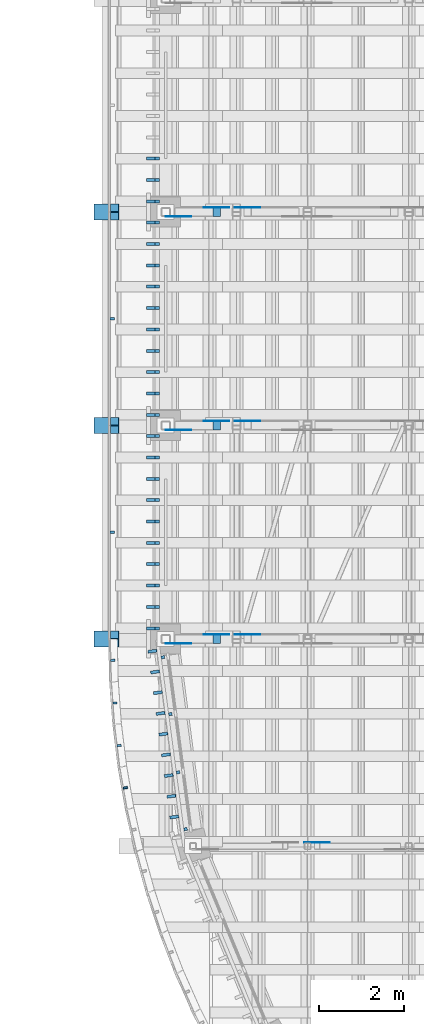
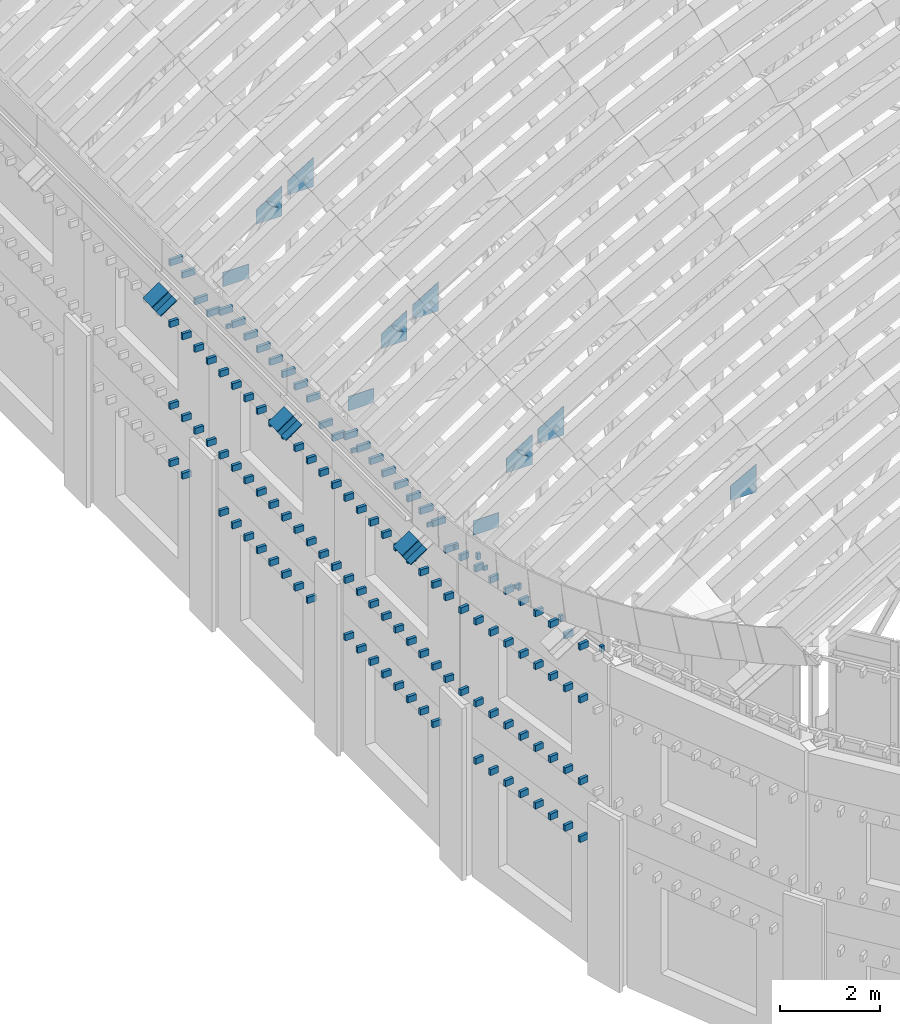
# One storey, part 69 of 105: 148 discrete accessories.
"""IFC4 building model written with IfcOpenShell, lengths in metres."""

from ifc_helpers import new_model, si_unit, direction, frame, origin, origin_2d, place, context, subcontext, project, spatial, polyline, rectangle, i_section, outline, extrude, material, material_profile, profile_set, type_object, element, save


model = new_model("IFC4")

# Units and contexts
model_context = context("Model", 3, precision=1e-05, world=origin(), true_north=direction((0.0, 1.0)))
body_context = subcontext(model_context, "Body", "Model", "MODEL_VIEW")
ifc_project = project(units=[si_unit("LENGTHUNIT", "METRE"), si_unit("AREAUNIT", "SQUARE_METRE"), si_unit("VOLUMEUNIT", "CUBIC_METRE"), si_unit("PLANEANGLEUNIT", "RADIAN"), si_unit("MASSUNIT", "GRAM", prefix="KILO")], contexts=[model_context])

# Site, building, storey
site_placement = place(None, origin())
site = spatial("IfcSite", under=ifc_project, at=site_placement, CompositionType="ELEMENT")
building_placement = place(site_placement, origin())
building = spatial("IfcBuilding", under=site, at=building_placement, Name="Wasatch Bagh Community Centre", CompositionType="ELEMENT")
storey_placement = place(building_placement, frame((0.0, 0.0, 16.800048828125)))
storey = spatial("IfcBuildingStorey", under=building, at=storey_placement, Name="L04", CompositionType="ELEMENT", Elevation=16.800048828125)

# Discrete accessories
ifc_material_1 = material(Name="ASTM A36 steel", Category="steel")
discrete_accessory_type_1 = type_object("IfcDiscreteAccessoryType", Name="MH fascia bracket", PredefinedType="BRACKET", material=ifc_material_1)
for number, where, z_axis, x_axis, name in (
    (1, (16.306396484375, 31.513427734375, 9.16064453125), (0.0, 0.0, 1.0), (-0.985277642389, -0.17096188876, 0.0), "Fascia bracket 74"),
    (2, (16.159423828125, 32.503662109375, 9.061767578125), (0.0, 0.0, 1.0), (-0.992479534599, -0.122410675199, 0.0), "Fascia bracket 75"),
    (3, (16.061279296875, 33.499755859375, 8.995849609375), (0.0, 0.0, 1.0), (-0.997290456679, -0.0735645636, 0.0), "Fascia bracket 76"),
    (4, (16.01220703125, 34.49951171875, 8.962646484375), (0.0, 0.0, 1.0), (-0.999698818696, -0.024541228523, 0.0), "Fascia bracket 77"),
    (5, (16.0, 37.5, 8.954345703125), (0.0, 0.0, 1.0), (-1.0, 0.0, 0.0), "Fascia bracket 78"),
    (6, (16.0, 42.5, 8.954345703125), (0.0, 0.0, 1.0), (-1.0, 0.0, 0.0), "Fascia bracket 79"),
):
    element("IfcDiscreteAccessory", number, at=place(storey_placement, frame(where, z_axis=z_axis, x_axis=x_axis)), inside=storey, type_object=discrete_accessory_type_1, Name=name, PredefinedType="BRACKET", context=body_context, shape_type="SweptSolid", body=[
        extrude(rectangle(XDim=0.10009765625, YDim=0.050048828125, at=origin_2d()), origin(), (0.0, 0.0, 1.0), 0.10009765625),
    ])
discrete_accessory_type_2 = type_object("IfcDiscreteAccessoryType", Name="MH fin bracket", PredefinedType="BRACKET", material=ifc_material_1)
for number, where, z_axis, x_axis, name in (
    (7, (16.93505859375, 34.711669921875, 4.425048828125), (0.0, 0.0, 1.0), (0.13052619222, -0.991444861374, 0.0), "Fin bracket 1.1.5"),
    (8, (16.93505859375, 34.711669921875, 6.425048828125), (0.0, 0.0, 1.0), (0.13052619222, -0.991444861374, 0.0), "Fin bracket 1.1.6"),
    (9, (16.998779296875, 34.226318359375, 3.02490234375), (0.0, 0.0, 1.0), (0.13052619222, -0.991444861374, 0.0), "Fin bracket 1.2.4"),
    (10, (16.998779296875, 34.226318359375, 4.425048828125), (0.0, 0.0, 1.0), (0.13052619222, -0.991444861374, 0.0), "Fin bracket 1.2.5"),
    (11, (16.998779296875, 34.226318359375, 6.425048828125), (0.0, 0.0, 1.0), (0.13052619222, -0.991444861374, 0.0), "Fin bracket 1.2.6"),
    (12, (17.062744140625, 33.7412109375, 3.02490234375), (0.0, 0.0, 1.0), (0.13052619222, -0.991444861374, 0.0), "Fin bracket 1.3.4"),
    (13, (17.062744140625, 33.7412109375, 4.425048828125), (0.0, 0.0, 1.0), (0.13052619222, -0.991444861374, 0.0), "Fin bracket 1.3.5"),
    (14, (17.062744140625, 33.7412109375, 6.425048828125), (0.0, 0.0, 1.0), (0.13052619222, -0.991444861374, 0.0), "Fin bracket 1.3.6"),
    (15, (17.126708984375, 33.255859375, 3.02490234375), (0.0, 0.0, 1.0), (0.13052619222, -0.991444861374, 0.0), "Fin bracket 1.4.4"),
    (16, (17.126708984375, 33.255859375, 4.425048828125), (0.0, 0.0, 1.0), (0.13052619222, -0.991444861374, 0.0), "Fin bracket 1.4.5"),
    (17, (17.126708984375, 33.255859375, 6.425048828125), (0.0, 0.0, 1.0), (0.13052619222, -0.991444861374, 0.0), "Fin bracket 1.4.6"),
    (18, (17.1904296875, 32.7705078125, 3.02490234375), (0.0, 0.0, 1.0), (0.13052619222, -0.991444861374, 0.0), "Fin bracket 1.5.4"),
    (19, (17.1904296875, 32.7705078125, 4.425048828125), (0.0, 0.0, 1.0), (0.13052619222, -0.991444861374, 0.0), "Fin bracket 1.5.5"),
    (20, (17.1904296875, 32.7705078125, 6.425048828125), (0.0, 0.0, 1.0), (0.13052619222, -0.991444861374, 0.0), "Fin bracket 1.5.6"),
    (21, (17.25439453125, 32.28515625, 3.02490234375), (0.0, 0.0, 1.0), (0.13052619222, -0.991444861374, 0.0), "Fin bracket 1.6.4"),
    (22, (17.25439453125, 32.28515625, 4.425048828125), (0.0, 0.0, 1.0), (0.13052619222, -0.991444861374, 0.0), "Fin bracket 1.6.5"),
    (23, (17.25439453125, 32.28515625, 6.425048828125), (0.0, 0.0, 1.0), (0.13052619222, -0.991444861374, 0.0), "Fin bracket 1.6.6"),
    (24, (17.318359375, 31.800048828125, 3.02490234375), (0.0, 0.0, 1.0), (0.13052619222, -0.991444861374, 0.0), "Fin bracket 1.7.4"),
    (25, (17.318359375, 31.800048828125, 4.425048828125), (0.0, 0.0, 1.0), (0.13052619222, -0.991444861374, 0.0), "Fin bracket 1.7.5"),
    (26, (17.318359375, 31.800048828125, 6.425048828125), (0.0, 0.0, 1.0), (0.13052619222, -0.991444861374, 0.0), "Fin bracket 1.7.6"),
    (27, (17.382080078125, 31.314697265625, 3.02490234375), (0.0, 0.0, 1.0), (0.13052619222, -0.991444861374, 0.0), "Fin bracket 1.8.4"),
    (28, (17.382080078125, 31.314697265625, 4.425048828125), (0.0, 0.0, 1.0), (0.13052619222, -0.991444861374, 0.0), "Fin bracket 1.8.5"),
    (29, (17.382080078125, 31.314697265625, 6.425048828125), (0.0, 0.0, 1.0), (0.13052619222, -0.991444861374, 0.0), "Fin bracket 1.8.6"),
    (30, (17.446044921875, 30.829345703125, 3.02490234375), (0.0, 0.0, 1.0), (0.13052619222, -0.991444861374, 0.0), "Fin bracket 1.9.4"),
    (31, (17.446044921875, 30.829345703125, 4.425048828125), (0.0, 0.0, 1.0), (0.13052619222, -0.991444861374, 0.0), "Fin bracket 1.9.5"),
    (32, (17.446044921875, 30.829345703125, 6.425048828125), (0.0, 0.0, 1.0), (0.13052619222, -0.991444861374, 0.0), "Fin bracket 1.9.6"),
    (33, (16.89990234375, 46.25, 3.02490234375), (0.0, 0.0, 1.0), (0.0, -1.0, 0.0), "Fin bracket 34.8.4"),
    (34, (16.89990234375, 46.25, 4.425048828125), (0.0, 0.0, 1.0), (0.0, -1.0, 0.0), "Fin bracket 34.8.5"),
    (35, (16.89990234375, 46.25, 6.425048828125), (0.0, 0.0, 1.0), (0.0, -1.0, 0.0), "Fin bracket 34.8.6"),
    (36, (16.89990234375, 45.75, 3.02490234375), (0.0, 0.0, 1.0), (0.0, -1.0, 0.0), "Fin bracket 34.9.4"),
    (37, (16.89990234375, 45.75, 4.425048828125), (0.0, 0.0, 1.0), (0.0, -1.0, 0.0), "Fin bracket 34.9.5"),
    (38, (16.89990234375, 45.75, 6.425048828125), (0.0, 0.0, 1.0), (0.0, -1.0, 0.0), "Fin bracket 34.9.6"),
    (39, (16.89990234375, 45.25, 4.425048828125), (0.0, 0.0, 1.0), (0.0, -1.0, 0.0), "Fin bracket 34.10.5"),
    (40, (16.89990234375, 45.25, 6.425048828125), (0.0, 0.0, 1.0), (0.0, -1.0, 0.0), "Fin bracket 34.10.6"),
    (41, (16.89990234375, 44.75, 4.425048828125), (0.0, 0.0, 1.0), (0.0, -1.0, 0.0), "Fin bracket 35.1.5"),
    (42, (16.89990234375, 44.75, 6.425048828125), (0.0, 0.0, 1.0), (0.0, -1.0, 0.0), "Fin bracket 35.1.6"),
    (43, (16.89990234375, 44.25, 3.02490234375), (0.0, 0.0, 1.0), (0.0, -1.0, 0.0), "Fin bracket 35.2.4"),
    (44, (16.89990234375, 44.25, 4.425048828125), (0.0, 0.0, 1.0), (0.0, -1.0, 0.0), "Fin bracket 35.2.5"),
    (45, (16.89990234375, 44.25, 6.425048828125), (0.0, 0.0, 1.0), (0.0, -1.0, 0.0), "Fin bracket 35.2.6"),
    (46, (16.89990234375, 43.75, 3.02490234375), (0.0, 0.0, 1.0), (0.0, -1.0, 0.0), "Fin bracket 35.3.4"),
    (47, (16.89990234375, 43.75, 4.425048828125), (0.0, 0.0, 1.0), (0.0, -1.0, 0.0), "Fin bracket 35.3.5"),
    (48, (16.89990234375, 43.75, 6.425048828125), (0.0, 0.0, 1.0), (0.0, -1.0, 0.0), "Fin bracket 35.3.6"),
    (49, (16.89990234375, 43.25, 3.02490234375), (0.0, 0.0, 1.0), (0.0, -1.0, 0.0), "Fin bracket 35.4.4"),
    (50, (16.89990234375, 43.25, 4.425048828125), (0.0, 0.0, 1.0), (0.0, -1.0, 0.0), "Fin bracket 35.4.5"),
    (51, (16.89990234375, 43.25, 6.425048828125), (0.0, 0.0, 1.0), (0.0, -1.0, 0.0), "Fin bracket 35.4.6"),
    (52, (16.89990234375, 42.75, 3.02490234375), (0.0, 0.0, 1.0), (0.0, -1.0, 0.0), "Fin bracket 35.5.4"),
    (53, (16.89990234375, 42.75, 4.425048828125), (0.0, 0.0, 1.0), (0.0, -1.0, 0.0), "Fin bracket 35.5.5"),
    (54, (16.89990234375, 42.75, 6.425048828125), (0.0, 0.0, 1.0), (0.0, -1.0, 0.0), "Fin bracket 35.5.6"),
    (55, (16.89990234375, 42.25, 3.02490234375), (0.0, 0.0, 1.0), (0.0, -1.0, 0.0), "Fin bracket 35.6.4"),
    (56, (16.89990234375, 42.25, 4.425048828125), (0.0, 0.0, 1.0), (0.0, -1.0, 0.0), "Fin bracket 35.6.5"),
    (57, (16.89990234375, 42.25, 6.425048828125), (0.0, 0.0, 1.0), (0.0, -1.0, 0.0), "Fin bracket 35.6.6"),
    (58, (16.89990234375, 41.75, 3.02490234375), (0.0, 0.0, 1.0), (0.0, -1.0, 0.0), "Fin bracket 35.7.4"),
    (59, (16.89990234375, 41.75, 4.425048828125), (0.0, 0.0, 1.0), (0.0, -1.0, 0.0), "Fin bracket 35.7.5"),
    (60, (16.89990234375, 41.75, 6.425048828125), (0.0, 0.0, 1.0), (0.0, -1.0, 0.0), "Fin bracket 35.7.6"),
    (61, (16.89990234375, 41.25, 3.02490234375), (0.0, 0.0, 1.0), (0.0, -1.0, 0.0), "Fin bracket 35.8.4"),
    (62, (16.89990234375, 41.25, 4.425048828125), (0.0, 0.0, 1.0), (0.0, -1.0, 0.0), "Fin bracket 35.8.5"),
    (63, (16.89990234375, 41.25, 6.425048828125), (0.0, 0.0, 1.0), (0.0, -1.0, 0.0), "Fin bracket 35.8.6"),
    (64, (16.89990234375, 40.75, 3.02490234375), (0.0, 0.0, 1.0), (0.0, -1.0, 0.0), "Fin bracket 35.9.4"),
    (65, (16.89990234375, 40.75, 4.425048828125), (0.0, 0.0, 1.0), (0.0, -1.0, 0.0), "Fin bracket 35.9.5"),
    (66, (16.89990234375, 40.75, 6.425048828125), (0.0, 0.0, 1.0), (0.0, -1.0, 0.0), "Fin bracket 35.9.6"),
    (67, (16.89990234375, 40.25, 4.425048828125), (0.0, 0.0, 1.0), (0.0, -1.0, 0.0), "Fin bracket 35.10.5"),
    (68, (16.89990234375, 40.25, 6.425048828125), (0.0, 0.0, 1.0), (0.0, -1.0, 0.0), "Fin bracket 35.10.6"),
    (69, (16.89990234375, 39.75, 4.425048828125), (0.0, 0.0, 1.0), (0.0, -1.0, 0.0), "Fin bracket 36.1.5"),
    (70, (16.89990234375, 39.75, 6.425048828125), (0.0, 0.0, 1.0), (0.0, -1.0, 0.0), "Fin bracket 36.1.6"),
    (71, (16.89990234375, 39.25, 3.02490234375), (0.0, 0.0, 1.0), (0.0, -1.0, 0.0), "Fin bracket 36.2.4"),
    (72, (16.89990234375, 39.25, 4.425048828125), (0.0, 0.0, 1.0), (0.0, -1.0, 0.0), "Fin bracket 36.2.5"),
    (73, (16.89990234375, 39.25, 6.425048828125), (0.0, 0.0, 1.0), (0.0, -1.0, 0.0), "Fin bracket 36.2.6"),
    (74, (16.89990234375, 38.75, 3.02490234375), (0.0, 0.0, 1.0), (0.0, -1.0, 0.0), "Fin bracket 36.3.4"),
    (75, (16.89990234375, 38.75, 4.425048828125), (0.0, 0.0, 1.0), (0.0, -1.0, 0.0), "Fin bracket 36.3.5"),
    (76, (16.89990234375, 38.75, 6.425048828125), (0.0, 0.0, 1.0), (0.0, -1.0, 0.0), "Fin bracket 36.3.6"),
    (77, (16.89990234375, 38.25, 3.02490234375), (0.0, 0.0, 1.0), (0.0, -1.0, 0.0), "Fin bracket 36.4.4"),
    (78, (16.89990234375, 38.25, 4.425048828125), (0.0, 0.0, 1.0), (0.0, -1.0, 0.0), "Fin bracket 36.4.5"),
    (79, (16.89990234375, 38.25, 6.425048828125), (0.0, 0.0, 1.0), (0.0, -1.0, 0.0), "Fin bracket 36.4.6"),
    (80, (16.89990234375, 37.75, 3.02490234375), (0.0, 0.0, 1.0), (0.0, -1.0, 0.0), "Fin bracket 36.5.4"),
    (81, (16.89990234375, 37.75, 4.425048828125), (0.0, 0.0, 1.0), (0.0, -1.0, 0.0), "Fin bracket 36.5.5"),
    (82, (16.89990234375, 37.75, 6.425048828125), (0.0, 0.0, 1.0), (0.0, -1.0, 0.0), "Fin bracket 36.5.6"),
    (83, (16.89990234375, 37.25, 3.02490234375), (0.0, 0.0, 1.0), (0.0, -1.0, 0.0), "Fin bracket 36.6.4"),
    (84, (16.89990234375, 37.25, 4.425048828125), (0.0, 0.0, 1.0), (0.0, -1.0, 0.0), "Fin bracket 36.6.5"),
    (85, (16.89990234375, 37.25, 6.425048828125), (0.0, 0.0, 1.0), (0.0, -1.0, 0.0), "Fin bracket 36.6.6"),
    (86, (16.89990234375, 36.75, 3.02490234375), (0.0, 0.0, 1.0), (0.0, -1.0, 0.0), "Fin bracket 36.7.4"),
    (87, (16.89990234375, 36.75, 4.425048828125), (0.0, 0.0, 1.0), (0.0, -1.0, 0.0), "Fin bracket 36.7.5"),
    (88, (16.89990234375, 36.75, 6.425048828125), (0.0, 0.0, 1.0), (0.0, -1.0, 0.0), "Fin bracket 36.7.6"),
    (89, (16.89990234375, 36.25, 3.02490234375), (0.0, 0.0, 1.0), (0.0, -1.0, 0.0), "Fin bracket 36.8.4"),
    (90, (16.89990234375, 36.25, 4.425048828125), (0.0, 0.0, 1.0), (0.0, -1.0, 0.0), "Fin bracket 36.8.5"),
    (91, (16.89990234375, 36.25, 6.425048828125), (0.0, 0.0, 1.0), (0.0, -1.0, 0.0), "Fin bracket 36.8.6"),
    (92, (16.89990234375, 35.75, 3.02490234375), (0.0, 0.0, 1.0), (0.0, -1.0, 0.0), "Fin bracket 36.9.4"),
    (93, (16.89990234375, 35.75, 4.425048828125), (0.0, 0.0, 1.0), (0.0, -1.0, 0.0), "Fin bracket 36.9.5"),
    (94, (16.89990234375, 35.75, 6.425048828125), (0.0, 0.0, 1.0), (0.0, -1.0, 0.0), "Fin bracket 36.9.6"),
    (95, (16.89990234375, 35.25, 4.425048828125), (0.0, 0.0, 1.0), (0.0, -1.0, 0.0), "Fin bracket 36.10.5"),
    (96, (16.89990234375, 35.25, 6.425048828125), (0.0, 0.0, 1.0), (0.0, -1.0, 0.0), "Fin bracket 36.10.6"),
):
    element("IfcDiscreteAccessory", number, at=place(storey_placement, frame(where, z_axis=z_axis, x_axis=x_axis)), inside=storey, type_object=discrete_accessory_type_2, Name=name, PredefinedType="BRACKET", context=body_context, shape_type="SweptSolid", body=[
        extrude(rectangle(XDim=0.070068359375, YDim=0.199951171875, at=origin_2d()), origin(), (0.0, 0.0, 1.0), 0.14990234375),
    ])
discrete_accessory_type_3 = type_object("IfcDiscreteAccessoryType", Name="MH fin bracket (rail)", PredefinedType="BRACKET", material=ifc_material_1)
for number, where, z_axis, x_axis, name in (
    (97, (16.93994140625, 34.71240234375, 7.715087890625), (0.0, 0.0, 1.0), (0.13052619222, -0.991444861374, 0.0), "Fin bracket 1.1.r1"),
    (98, (17.00390625, 34.22705078125, 7.715087890625), (0.0, 0.0, 1.0), (0.13052619222, -0.991444861374, 0.0), "Fin bracket 1.2.r1"),
    (99, (17.067626953125, 33.74169921875, 7.715087890625), (0.0, 0.0, 1.0), (0.13052619222, -0.991444861374, 0.0), "Fin bracket 1.3.r1"),
    (100, (17.131591796875, 33.25634765625, 7.715087890625), (0.0, 0.0, 1.0), (0.13052619222, -0.991444861374, 0.0), "Fin bracket 1.4.r1"),
    (101, (17.195556640625, 32.771240234375, 7.715087890625), (0.0, 0.0, 1.0), (0.13052619222, -0.991444861374, 0.0), "Fin bracket 1.5.r1"),
    (102, (17.25927734375, 32.285888671875, 7.715087890625), (0.0, 0.0, 1.0), (0.13052619222, -0.991444861374, 0.0), "Fin bracket 1.6.r1"),
    (103, (17.3232421875, 31.800537109375, 7.715087890625), (0.0, 0.0, 1.0), (0.13052619222, -0.991444861374, 0.0), "Fin bracket 1.7.r1"),
    (104, (17.38720703125, 31.3154296875, 7.715087890625), (0.0, 0.0, 1.0), (0.13052619222, -0.991444861374, 0.0), "Fin bracket 1.8.r1"),
    (105, (17.450927734375, 30.830078125, 7.715087890625), (0.0, 0.0, 1.0), (0.13052619222, -0.991444861374, 0.0), "Fin bracket 1.9.r1"),
):
    element("IfcDiscreteAccessory", number, at=place(storey_placement, frame(where, z_axis=z_axis, x_axis=x_axis)), inside=storey, type_object=discrete_accessory_type_3, Name=name, PredefinedType="BRACKET", context=body_context, shape_type="SweptSolid", body=[
        extrude(rectangle(XDim=0.070068359375, YDim=0.2099609375, at=origin_2d()), origin(), (0.0, 0.0, 1.0), 0.14990234375),
    ])
discrete_accessory_type_4 = type_object("IfcDiscreteAccessoryType", Name="MH fin bracket (upstand)", PredefinedType="BRACKET", material=ifc_material_1)
for number, where, z_axis, x_axis, name in (
    (106, (16.949951171875, 46.25, 7.925048828125), (0.0, 0.0, 1.0), (0.0, -1.0, 0.0), "Fin bracket 34.8.7"),
    (107, (16.949951171875, 45.75, 7.925048828125), (0.0, 0.0, 1.0), (0.0, -1.0, 0.0), "Fin bracket 34.9.7"),
    (108, (16.949951171875, 45.25, 7.5849609375), (0.0, 0.0, 1.0), (0.0, -1.0, 0.0), "Fin bracket 34.10.7"),
    (109, (16.949951171875, 44.75, 7.5849609375), (0.0, 0.0, 1.0), (0.0, -1.0, 0.0), "Fin bracket 35.1.7"),
    (110, (16.949951171875, 44.25, 7.925048828125), (0.0, 0.0, 1.0), (0.0, -1.0, 0.0), "Fin bracket 35.2.7"),
    (111, (16.949951171875, 43.75, 7.925048828125), (0.0, 0.0, 1.0), (0.0, -1.0, 0.0), "Fin bracket 35.3.7"),
    (112, (16.949951171875, 43.25, 7.925048828125), (0.0, 0.0, 1.0), (0.0, -1.0, 0.0), "Fin bracket 35.4.7"),
    (113, (16.949951171875, 42.75, 7.925048828125), (0.0, 0.0, 1.0), (0.0, -1.0, 0.0), "Fin bracket 35.5.7"),
    (114, (16.949951171875, 42.25, 7.925048828125), (0.0, 0.0, 1.0), (0.0, -1.0, 0.0), "Fin bracket 35.6.7"),
    (115, (16.949951171875, 41.75, 7.925048828125), (0.0, 0.0, 1.0), (0.0, -1.0, 0.0), "Fin bracket 35.7.7"),
    (116, (16.949951171875, 41.25, 7.925048828125), (0.0, 0.0, 1.0), (0.0, -1.0, 0.0), "Fin bracket 35.8.7"),
    (117, (16.949951171875, 40.75, 7.925048828125), (0.0, 0.0, 1.0), (0.0, -1.0, 0.0), "Fin bracket 35.9.7"),
    (118, (16.949951171875, 40.25, 7.5849609375), (0.0, 0.0, 1.0), (0.0, -1.0, 0.0), "Fin bracket 35.10.7"),
    (119, (16.949951171875, 39.75, 7.5849609375), (0.0, 0.0, 1.0), (0.0, -1.0, 0.0), "Fin bracket 36.1.7"),
    (120, (16.949951171875, 39.25, 7.925048828125), (0.0, 0.0, 1.0), (0.0, -1.0, 0.0), "Fin bracket 36.2.7"),
    (121, (16.949951171875, 38.75, 7.925048828125), (0.0, 0.0, 1.0), (0.0, -1.0, 0.0), "Fin bracket 36.3.7"),
    (122, (16.949951171875, 38.25, 7.925048828125), (0.0, 0.0, 1.0), (0.0, -1.0, 0.0), "Fin bracket 36.4.7"),
    (123, (16.949951171875, 37.75, 7.925048828125), (0.0, 0.0, 1.0), (0.0, -1.0, 0.0), "Fin bracket 36.5.7"),
    (124, (16.949951171875, 37.25, 7.925048828125), (0.0, 0.0, 1.0), (0.0, -1.0, 0.0), "Fin bracket 36.6.7"),
    (125, (16.949951171875, 36.75, 7.925048828125), (0.0, 0.0, 1.0), (0.0, -1.0, 0.0), "Fin bracket 36.7.7"),
    (126, (16.949951171875, 36.25, 7.925048828125), (0.0, 0.0, 1.0), (0.0, -1.0, 0.0), "Fin bracket 36.8.7"),
    (127, (16.949951171875, 35.75, 7.925048828125), (0.0, 0.0, 1.0), (0.0, -1.0, 0.0), "Fin bracket 36.9.7"),
    (128, (16.949951171875, 35.25, 7.5849609375), (0.0, 0.0, 1.0), (0.0, -1.0, 0.0), "Fin bracket 36.10.7"),
):
    element("IfcDiscreteAccessory", number, at=place(storey_placement, frame(where, z_axis=z_axis, x_axis=x_axis)), inside=storey, type_object=discrete_accessory_type_4, Name=name, PredefinedType="BRACKET", context=body_context, shape_type="SweptSolid", body=[
        extrude(rectangle(XDim=0.070068359375, YDim=0.300048828125, at=origin_2d()), origin(), (0.0, 0.0, 1.0), 0.14990234375),
    ])
discrete_accessory_type_5 = type_object("IfcDiscreteAccessoryType", Name="MH fin rail stand-off", PredefinedType="BRACKET", material=ifc_material_1)
for number, where, z_axis, x_axis, name in (
    (129, (17.185302734375, 34.571533203125, 7.715087890625), (0.0, 0.0, 1.0), (0.13052619222, -0.991444861374, 0.0), "Rail stand-off 1.1.1"),
    (130, (17.36083984375, 33.239013671875, 7.715087890625), (0.0, 0.0, 1.0), (0.13052619222, -0.991444861374, 0.0), "Rail stand-off 1.1.2"),
    (131, (17.5400390625, 31.876708984375, 7.715087890625), (0.0, 0.0, 1.0), (0.13052619222, -0.991444861374, 0.0), "Rail stand-off 1.1.3"),
    (132, (17.715576171875, 30.54443359375, 7.715087890625), (0.0, 0.0, 1.0), (0.13052619222, -0.991444861374, 0.0), "Rail stand-off 1.1.4"),
):
    element("IfcDiscreteAccessory", number, at=place(storey_placement, frame(where, z_axis=z_axis, x_axis=x_axis)), inside=storey, type_object=discrete_accessory_type_5, Name=name, PredefinedType="BRACKET", context=body_context, shape_type="SweptSolid", body=[
        extrude(rectangle(XDim=0.070068359375, YDim=0.080078125, at=origin_2d()), origin(), (0.0, 0.0, 1.0), 0.14990234375),
    ])
ifc_material_2 = material(Name="ASTM A992 Grade 50 steel", Category="steel")
ifc_material_profile = material_profile(ifc_material_2, i_section(OverallWidth=0.373291015625, OverallDepth=0.368408203125, WebThickness=0.014892578125, FlangeThickness=0.02392578125, at=origin_2d()), Name="W14x120")
ifc_profile_set = profile_set([ifc_material_profile], Name="ASTM A992 Grade 50 steel")
discrete_accessory_type_6 = type_object("IfcDiscreteAccessoryType", Name="MH steel truss tail W14x120", PredefinedType="BRACKET", material=ifc_profile_set)
for number, where, z_axis, x_axis, name in (
    (133, (16.050048828125, 35.0, 8.309326171875), (-0.828949288675, 0.0, -0.559323767424), (0.0, -1.0, 0.0), "Truss tail TA1"),
    (134, (16.050048828125, 40.0, 8.309326171875), (-0.828949288675, 0.0, -0.559323767424), (0.0, -1.0, 0.0), "Truss tail TA2"),
    (135, (16.050048828125, 45.0, 8.309326171875), (-0.828949288675, 0.0, -0.559323767424), (0.0, -1.0, 0.0), "Truss tail TA3"),
):
    element("IfcDiscreteAccessory", number, at=place(storey_placement, frame(where, z_axis=z_axis, x_axis=x_axis)), inside=storey, type_object=discrete_accessory_type_6, Name=name, PredefinedType="BRACKET", context=body_context, shape_type="SweptSolid", body=[
        extrude(i_section(OverallWidth=0.373291015625, OverallDepth=0.368408203125, WebThickness=0.014892578125, FlangeThickness=0.02392578125, at=origin_2d()), origin(), (0.0, 0.0, 1.0), 0.449951171875),
    ])
for number, where, z_axis, x_axis, name in (
    (136, (18.441650390625, 35.0, 9.59521484375), (0.526354614616, 0.0, 0.850265146688), (0.0, 1.0, 0.0), "MH.TA1.WB01.EPB"),
    (137, (18.441650390625, 40.0, 9.59521484375), (0.526354614616, 0.0, 0.850265146688), (0.0, 1.0, 0.0), "MH.TA2.WB01.EPB"),
    (138, (18.441650390625, 45.0, 9.59521484375), (0.526354614616, 0.0, 0.850265146688), (0.0, 1.0, 0.0), "MH.TA3.WB01.EPB"),
):
    element("IfcDiscreteAccessory", number, at=place(storey_placement, frame(where, z_axis=z_axis, x_axis=x_axis)), inside=storey, Name=name, PredefinedType="NOTDEFINED", context=body_context, shape_type="SweptSolid", body=[
        extrude(rectangle(XDim=0.203125, YDim=0.203125, at=origin_2d()), origin(), (0.0, 0.0, 1.0), 0.011962890625),
    ])
discrete_accessory_1_placement = place(storey_placement, frame((17.253662109375, 34.885986328125, 8.071044921875), z_axis=(0.0, -1.0, 0.0), x_axis=(1.0, 0.0, 0.0)))
element("IfcDiscreteAccessory", 139, at=discrete_accessory_1_placement, inside=storey, Name="Gusset plate", PredefinedType="BRACKET", context=body_context, shape_type="SweptSolid", body=[
    extrude(outline(polyline([(0.0, 0.0), (0.60009765625, 0.0), (0.60009765625, 0.35009765625), (0.0, 0.35009765625), (0.0, 0.0)])), origin(), (0.0, 0.0, -1.0), 0.011962890625),
])
discrete_accessory_2_placement = place(storey_placement, frame((18.141845703125, 35.114013671875, 9.498779296875), z_axis=(0.0, 1.0, 0.0), x_axis=(0.827827839308, 0.0, 0.560982235429)))
element("IfcDiscreteAccessory", 140, at=discrete_accessory_2_placement, inside=storey, Name="Gusset plate", PredefinedType="BRACKET", context=body_context, shape_type="SweptSolid", body=[
    extrude(outline(polyline([(0.0, 0.0), (0.16102476254170145, 1.3877787807814457e-17), (0.7121482030626562, 0.018391682953378674), (0.30031383247336385, 0.6261256460391993), (-0.19626160726786032, 0.28961847991419387), (0.0, 0.0)])), origin(), (0.0, 0.0, -1.0), 0.011962890625),
])
discrete_accessory_3_placement = place(storey_placement, frame((18.868408203125, 35.114013671875, 9.9599609375), z_axis=(0.0, 1.0, 0.0), x_axis=(0.854563028529, 0.0, 0.519347696896)))
element("IfcDiscreteAccessory", 141, at=discrete_accessory_3_placement, inside=storey, Name="Gusset plate", PredefinedType="BRACKET", context=body_context, shape_type="SweptSolid", body=[
    extrude(outline(polyline([(0.0, 0.0), (0.05170999873591953, 0.0), (0.7011551236280127, 0.0012944501589451374), (0.3307902255241295, 0.6107130552207892), (-0.1818224114621597, 0.2991805134059173), (0.0, 0.0)])), origin(), (0.0, 0.0, -1.0), 0.011962890625),
])
discrete_accessory_4_placement = place(storey_placement, frame((17.253662109375, 39.885986328125, 8.071044921875), z_axis=(0.0, -1.0, 0.0), x_axis=(1.0, 0.0, 0.0)))
element("IfcDiscreteAccessory", 142, at=discrete_accessory_4_placement, inside=storey, Name="Gusset plate", PredefinedType="BRACKET", context=body_context, shape_type="SweptSolid", body=[
    extrude(outline(polyline([(0.0, 0.0), (0.60009765625, 0.0), (0.60009765625, 0.35009765625), (0.0, 0.35009765625), (0.0, 0.0)])), origin(), (0.0, 0.0, -1.0), 0.011962890625),
])
discrete_accessory_5_placement = place(storey_placement, frame((18.141845703125, 40.114013671875, 9.498779296875), z_axis=(0.0, 1.0, 0.0), x_axis=(0.827827839308, 0.0, 0.560982235429)))
element("IfcDiscreteAccessory", 143, at=discrete_accessory_5_placement, inside=storey, Name="Gusset plate", PredefinedType="BRACKET", context=body_context, shape_type="SweptSolid", body=[
    extrude(outline(polyline([(0.0, 0.0), (0.16102476254170145, 1.3877787807814457e-17), (0.7121482030626562, 0.018391682953378674), (0.30031383247336385, 0.6261256460391993), (-0.19626160726786032, 0.28961847991419387), (0.0, 0.0)])), origin(), (0.0, 0.0, -1.0), 0.011962890625),
])
discrete_accessory_6_placement = place(storey_placement, frame((18.868408203125, 40.114013671875, 9.9599609375), z_axis=(0.0, 1.0, 0.0), x_axis=(0.854563028529, 0.0, 0.519347696896)))
element("IfcDiscreteAccessory", 144, at=discrete_accessory_6_placement, inside=storey, Name="Gusset plate", PredefinedType="BRACKET", context=body_context, shape_type="SweptSolid", body=[
    extrude(outline(polyline([(0.0, 0.0), (0.05170999873591953, 0.0), (0.7011551236280127, 0.0012944501589451374), (0.3307902255241295, 0.6107130552207892), (-0.1818224114621597, 0.2991805134059173), (0.0, 0.0)])), origin(), (0.0, 0.0, -1.0), 0.011962890625),
])
discrete_accessory_7_placement = place(storey_placement, frame((17.253662109375, 44.885986328125, 8.071044921875), z_axis=(0.0, -1.0, 0.0), x_axis=(1.0, 0.0, 0.0)))
element("IfcDiscreteAccessory", 145, at=discrete_accessory_7_placement, inside=storey, Name="Gusset plate", PredefinedType="BRACKET", context=body_context, shape_type="SweptSolid", body=[
    extrude(outline(polyline([(0.0, 0.0), (0.60009765625, 0.0), (0.60009765625, 0.35009765625), (0.0, 0.35009765625), (0.0, 0.0)])), origin(), (0.0, 0.0, -1.0), 0.011962890625),
])
discrete_accessory_8_placement = place(storey_placement, frame((18.141845703125, 45.114013671875, 9.498779296875), z_axis=(0.0, 1.0, 0.0), x_axis=(0.827827839308, 0.0, 0.560982235429)))
element("IfcDiscreteAccessory", 146, at=discrete_accessory_8_placement, inside=storey, Name="Gusset plate", PredefinedType="BRACKET", context=body_context, shape_type="SweptSolid", body=[
    extrude(outline(polyline([(0.0, 0.0), (0.16102476254170145, 1.3877787807814457e-17), (0.7121482030626562, 0.018391682953378674), (0.30031383247336385, 0.6261256460391993), (-0.19626160726786032, 0.28961847991419387), (0.0, 0.0)])), origin(), (0.0, 0.0, -1.0), 0.011962890625),
])
discrete_accessory_9_placement = place(storey_placement, frame((18.868408203125, 45.114013671875, 9.9599609375), z_axis=(0.0, 1.0, 0.0), x_axis=(0.854563028529, 0.0, 0.519347696896)))
element("IfcDiscreteAccessory", 147, at=discrete_accessory_9_placement, inside=storey, Name="Gusset plate", PredefinedType="BRACKET", context=body_context, shape_type="SweptSolid", body=[
    extrude(outline(polyline([(0.0, 0.0), (0.05170999873591953, 0.0), (0.7011551236280127, 0.0012944501589451374), (0.3307902255241295, 0.6107130552207892), (-0.1818224114621597, 0.2991805134059173), (0.0, 0.0)])), origin(), (0.0, 0.0, -1.0), 0.011962890625),
])
discrete_accessory_10_placement = place(storey_placement, frame((20.49609375, 30.23583984375, 10.958740234375), z_axis=(0.0, 1.0, 0.0), x_axis=(0.855623194581, 0.0, 0.517599216475)))
element("IfcDiscreteAccessory", 148, at=discrete_accessory_10_placement, inside=storey, Name="Gusset plate", PredefinedType="BRACKET", context=body_context, shape_type="SweptSolid", body=[
    extrude(outline(polyline([(0.0, 0.0), (0.09244906285967863, 0.0), (0.6858658981419994, 0.025136716572564333), (0.33203830875492313, 0.6100353847430373), (-0.1812102725646669, 0.29955167505587793), (0.0, 0.0)])), origin(), (0.0, 0.0, -1.0), 0.011962890625),
])

save(model, "model.ifc")
